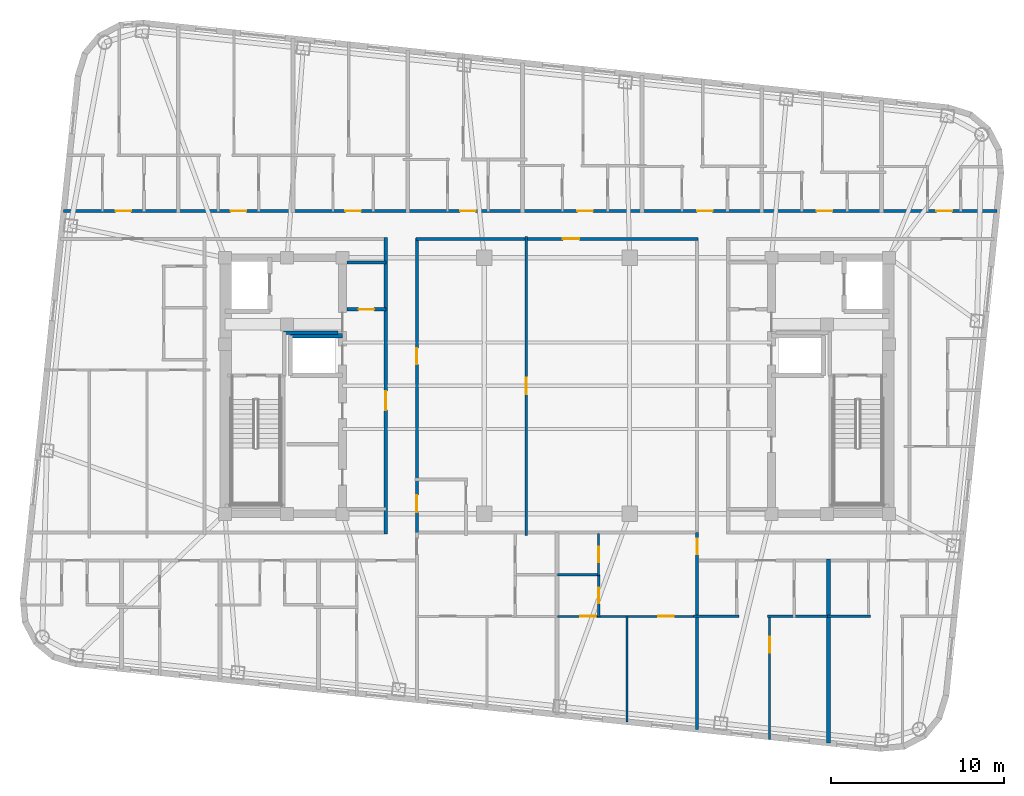
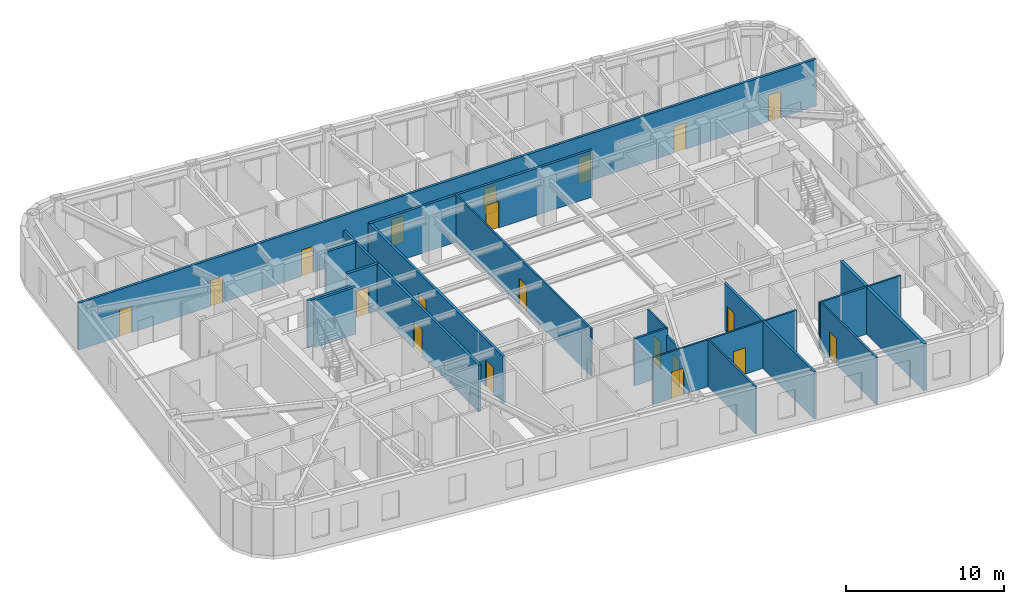
# One storey, part 5 of 11: 20 doors, 20 walls, 20 openings.
"""IFC4 building model written with IfcOpenShell, lengths in metres."""

from ifc_helpers import new_model, si_unit, direction, frame, frame_2d, origin, place, context, subcontext, project, spatial, rectangle, extrude, material, layer, layer_set, type_object, element, fill, save


model = new_model("IFC4")

# Units and contexts
model_context = context("Model", 3, precision=1e-05, world=origin(), true_north=direction((0.0, 1.0)))
body_context = subcontext(model_context, "Body", "Model", "MODEL_VIEW")
ifc_project = project(units=[si_unit("LENGTHUNIT", "METRE"), si_unit("AREAUNIT", "SQUARE_METRE"), si_unit("VOLUMEUNIT", "CUBIC_METRE"), si_unit("PLANEANGLEUNIT", "RADIAN"), si_unit("MASSUNIT", "GRAM", prefix="KILO")], contexts=[model_context])

# Site, building, storey
site_placement = place(None, origin())
site = spatial("IfcSite", under=ifc_project, at=site_placement, CompositionType="ELEMENT")
building_placement = place(site_placement, origin())
building = spatial("IfcBuilding", under=site, at=building_placement, Name="Voryun Gate Residences", CompositionType="ELEMENT")
storey_placement = place(building_placement, frame((0.0, 0.0, 299.0)))
storey = spatial("IfcBuildingStorey", under=building, at=storey_placement, Name="L74", CompositionType="ELEMENT", Elevation=299.0)

# Wall
ifc_material_1 = material(Name="Gypsum acoustic fireboard")
ifc_layer_1 = layer(ifc_material_1, 0.179931640625, Name="W_CORR_RATED_180")
ifc_layer_set_1 = layer_set([ifc_layer_1], Name="Gypsum acoustic fireboard")
wall_type_1 = type_object("IfcWallType", Name="W_CORR_RATED_180", PredefinedType="PARTITIONING", material=ifc_layer_set_1)
wall_1_placement = place(storey_placement, frame((-12.14990234375, 7.1201171875, 0.0), z_axis=(0.0, 0.0, 1.0), x_axis=(1.0, 0.0, 0.0)))
element("IfcWall", 1, at=wall_1_placement, inside=storey, type_object=wall_type_1, Name="Partition wall WP-L74-PLBN-W", PredefinedType="PARTITIONING", context=body_context, shape_type="SweptSolid", body=[
    extrude(rectangle(XDim=2.27001953125, YDim=0.179931640625, at=frame_2d((1.135009765625, 0.0))), origin(), (0.0, 0.0, 1.0), 3.635009765625),
])

# Wall, opening, door
wall_2_placement = place(storey_placement, frame((-9.89990234375, -8.580078125, 0.0), z_axis=(0.0, 0.0, 1.0), x_axis=(0.0, 1.0, 0.0)))
wall_2 = element("IfcWall", 2, at=wall_2_placement, inside=storey, type_object=wall_type_1, Name="Partition wall WP-L74-PLBW-FULL", PredefinedType="PARTITIONING", context=body_context, shape_type="SweptSolid", body=[
    extrude(rectangle(XDim=17.16015625, YDim=0.179931640625, at=frame_2d((8.580078125, 0.0))), origin(), (0.0, 0.0, 1.0), 3.635009765625),
])
opening_1_placement = place(wall_2_placement, frame((7.172119140625, 0.0, 0.0)))
opening_1 = element("IfcOpeningElement", 3, at=opening_1_placement, cuts=wall_2, Name="Opening D-FD60-2", PredefinedType="OPENING", context=body_context, shape_type="SweptSolid", body=[
    extrude(rectangle(XDim=1.10009765625, YDim=2.050048828125, at=frame_2d((0.550048828125, 1.02490234375))), frame((0.0, 0.099853515625, 0.0), z_axis=(0.0, -1.0, 0.0), x_axis=(1.0, 0.0, 0.0)), (0.0, 0.0, 1.0), 0.199951171875),
])
ifc_material_2 = material(Name="Painted steel fire door", Category="steel")
door_type_1 = type_object("IfcDoorType", Name="DR_FD60_FFLOB_1100", OperationType="NOTDEFINED", PredefinedType="DOOR", material=ifc_material_2)
door_1_placement = place(opening_1_placement, origin())
door_1 = element("IfcDoor", 4, at=door_1_placement, inside=storey, type_object=door_type_1, Name="Door DR-L74-PLBW-COR", OperationType="SINGLE_SWING_LEFT", OverallHeight=2.050048828125, OverallWidth=1.10009765625, PredefinedType="DOOR", context=body_context, shape_type="SweptSolid", body=[
    extrude(rectangle(XDim=1.10009765625, YDim=2.050048828125, at=frame_2d((0.550048828125, 1.02490234375))), frame((0.0, 0.02490234375, 0.0), z_axis=(0.0, -1.0, 0.0), x_axis=(1.0, 0.0, 0.0)), (0.0, 0.0, 1.0), 0.050048828125),
])
fill(opening_1, door_1)

wall_3_placement = place(storey_placement, frame((-8.14990234375, 8.489990234375, 0.0), z_axis=(0.0, 0.0, 1.0), x_axis=(1.0, 0.0, 0.0)))
wall_3 = element("IfcWall", 5, at=wall_3_placement, inside=storey, type_object=wall_type_1, Name="Partition wall WP-L74-Z3N", PredefinedType="PARTITIONING", context=body_context, shape_type="SweptSolid", body=[
    extrude(rectangle(XDim=16.2998046875, YDim=0.179931640625, at=frame_2d((8.14990234375, 0.0))), origin(), (0.0, 0.0, 1.0), 3.635009765625),
])
opening_2_placement = place(wall_3_placement, frame((8.489990234375, 0.0, 0.0)))
opening_2 = element("IfcOpeningElement", 6, at=opening_2_placement, cuts=wall_3, Name="Opening D-INT-1", PredefinedType="OPENING", context=body_context, shape_type="SweptSolid", body=[
    extrude(rectangle(XDim=0.949951171875, YDim=2.050048828125, at=frame_2d((0.47509765625, 1.02490234375))), frame((0.0, 0.099853515625, 0.0), z_axis=(0.0, -1.0, 0.0), x_axis=(1.0, 0.0, 0.0)), (0.0, 0.0, 1.0), 0.199951171875),
])
ifc_material_3 = material(Name="Architectural oak veneer")
door_type_2 = type_object("IfcDoorType", Name="DR_INT_ROOM_950", OperationType="NOTDEFINED", PredefinedType="DOOR", material=ifc_material_3)
door_2_placement = place(opening_2_placement, origin())
door_2 = element("IfcDoor", 7, at=door_2_placement, inside=storey, type_object=door_type_2, Name="Door DR-L74-CMIDZ3N", OperationType="SINGLE_SWING_LEFT", OverallHeight=2.050048828125, OverallWidth=0.949951171875, PredefinedType="DOOR", context=body_context, shape_type="SweptSolid", body=[
    extrude(rectangle(XDim=0.949951171875, YDim=2.050048828125, at=frame_2d((0.47509765625, 1.02490234375))), frame((0.0, 0.02490234375, 0.0), z_axis=(0.0, -1.0, 0.0), x_axis=(1.0, 0.0, 0.0)), (0.0, 0.0, 1.0), 0.050048828125),
])
fill(opening_2, door_2)

# Wall, openings, doors
wall_4_placement = place(storey_placement, frame((-8.10009765625, -8.530029296875, 0.0), z_axis=(0.0, 0.0, 1.0), x_axis=(0.0, 1.0, 0.0)))
wall_4 = element("IfcWall", 8, at=wall_4_placement, inside=storey, type_object=wall_type_1, Name="Partition wall WP-L74-Z3W", PredefinedType="PARTITIONING", context=body_context, shape_type="SweptSolid", body=[
    extrude(rectangle(XDim=17.06005859375, YDim=0.179931640625, at=frame_2d((8.530029296875, 0.0))), origin(), (0.0, 0.0, 1.0), 3.635009765625),
])
opening_3_placement = place(wall_4_placement, frame((1.2060546875, 0.0, 0.0)))
opening_3 = element("IfcOpeningElement", 9, at=opening_3_placement, cuts=wall_4, Name="Opening D-AWC-1", PredefinedType="OPENING", context=body_context, shape_type="SweptSolid", body=[
    extrude(rectangle(XDim=1.0, YDim=2.050048828125, at=frame_2d((0.5, 1.02490234375))), frame((0.0, 0.099853515625, 0.0), z_axis=(0.0, -1.0, 0.0), x_axis=(1.0, 0.0, 0.0)), (0.0, 0.0, 1.0), 0.199951171875),
])
opening_4_placement = place(wall_4_placement, frame((9.760986328125, 0.0, 0.0)))
opening_4 = element("IfcOpeningElement", 10, at=opening_4_placement, cuts=wall_4, Name="Opening D-INT-1", PredefinedType="OPENING", context=body_context, shape_type="SweptSolid", body=[
    extrude(rectangle(XDim=0.949951171875, YDim=2.050048828125, at=frame_2d((0.47509765625, 1.02490234375))), frame((0.0, 0.099853515625, 0.0), z_axis=(0.0, -1.0, 0.0), x_axis=(1.0, 0.0, 0.0)), (0.0, 0.0, 1.0), 0.199951171875),
])
ifc_material_4 = material(Name="Architectural oak veneer")
door_type_3 = type_object("IfcDoorType", Name="DR_ACC_WC_1000", OperationType="NOTDEFINED", PredefinedType="DOOR", material=ifc_material_4)
door_3_placement = place(opening_3_placement, origin())
door_3 = element("IfcDoor", 11, at=door_3_placement, inside=storey, type_object=door_type_3, Name="Door DR-L74-CMWC-D", OperationType="SINGLE_SWING_LEFT", OverallHeight=2.050048828125, OverallWidth=1.0, PredefinedType="DOOR", context=body_context, shape_type="SweptSolid", body=[
    extrude(rectangle(XDim=1.0, YDim=2.050048828125, at=frame_2d((0.5, 1.02490234375))), frame((0.0, 0.02490234375, 0.0), z_axis=(0.0, -1.0, 0.0), x_axis=(1.0, 0.0, 0.0)), (0.0, 0.0, 1.0), 0.050048828125),
])
fill(opening_3, door_3)
door_4_placement = place(opening_4_placement, origin())
door_4 = element("IfcDoor", 12, at=door_4_placement, inside=storey, type_object=door_type_2, Name="Door DR-L74-CMIDZ3W", OperationType="SINGLE_SWING_RIGHT", OverallHeight=2.050048828125, OverallWidth=0.949951171875, PredefinedType="DOOR", context=body_context, shape_type="SweptSolid", body=[
    extrude(rectangle(XDim=0.949951171875, YDim=2.050048828125, at=frame_2d((0.47509765625, 1.02490234375))), frame((0.0, 0.02490234375, 0.0), z_axis=(0.0, -1.0, 0.0), x_axis=(1.0, 0.0, 0.0)), (0.0, 0.0, 1.0), 0.050048828125),
])
fill(opening_4, door_4)

wall_5_placement = place(storey_placement, frame((-28.51611328125, 10.10009765625, 0.0), z_axis=(0.0, 0.0, 1.0), x_axis=(1.0, 0.0, 0.0)))
wall_5 = element("IfcWall", 13, at=wall_5_placement, inside=storey, type_object=wall_type_1, Name="Partition wall WP-L74-NCORR", PredefinedType="PARTITIONING", context=body_context, shape_type="SweptSolid", body=[
    extrude(rectangle(XDim=53.955322265625, YDim=0.179931640625, at=frame_2d((26.9775390625, 0.0))), origin(), (0.0, 0.0, 1.0), 3.635009765625),
])
opening_5_placement = place(wall_5_placement, frame((2.997802734375, 0.0, 0.0)))
opening_5 = element("IfcOpeningElement", 14, at=opening_5_placement, cuts=wall_5, Name="Opening D-INT-2", PredefinedType="OPENING", context=body_context, shape_type="SweptSolid", body=[
    extrude(rectangle(XDim=0.89990234375, YDim=2.050048828125, at=frame_2d((0.449951171875, 1.02490234375))), frame((0.0, 0.099853515625, 0.0), z_axis=(0.0, -1.0, 0.0), x_axis=(1.0, 0.0, 0.0)), (0.0, 0.0, 1.0), 0.199951171875),
])
opening_6_placement = place(wall_5_placement, frame((9.656005859375, 0.0, 0.0)))
opening_6 = element("IfcOpeningElement", 15, at=opening_6_placement, cuts=wall_5, Name="Opening D-INT-2", PredefinedType="OPENING", context=body_context, shape_type="SweptSolid", body=[
    extrude(rectangle(XDim=0.89990234375, YDim=2.050048828125, at=frame_2d((0.449951171875, 1.02490234375))), frame((0.0, 0.099853515625, 0.0), z_axis=(0.0, -1.0, 0.0), x_axis=(1.0, 0.0, 0.0)), (0.0, 0.0, 1.0), 0.199951171875),
])
opening_7_placement = place(wall_5_placement, frame((16.287109375, 0.0, 0.0)))
opening_7 = element("IfcOpeningElement", 16, at=opening_7_placement, cuts=wall_5, Name="Opening D-INT-2", PredefinedType="OPENING", context=body_context, shape_type="SweptSolid", body=[
    extrude(rectangle(XDim=0.89990234375, YDim=2.050048828125, at=frame_2d((0.449951171875, 1.02490234375))), frame((0.0, 0.099853515625, 0.0), z_axis=(0.0, -1.0, 0.0), x_axis=(1.0, 0.0, 0.0)), (0.0, 0.0, 1.0), 0.199951171875),
])
opening_8_placement = place(wall_5_placement, frame((22.918212890625, 0.0, 0.0)))
opening_8 = element("IfcOpeningElement", 17, at=opening_8_placement, cuts=wall_5, Name="Opening D-INT-2", PredefinedType="OPENING", context=body_context, shape_type="SweptSolid", body=[
    extrude(rectangle(XDim=0.89990234375, YDim=2.050048828125, at=frame_2d((0.449951171875, 1.02490234375))), frame((0.0, 0.099853515625, 0.0), z_axis=(0.0, -1.0, 0.0), x_axis=(1.0, 0.0, 0.0)), (0.0, 0.0, 1.0), 0.199951171875),
])
opening_9_placement = place(wall_5_placement, frame((29.689453125, 0.0, 0.0)))
opening_9 = element("IfcOpeningElement", 18, at=opening_9_placement, cuts=wall_5, Name="Opening D-INT-2", PredefinedType="OPENING", context=body_context, shape_type="SweptSolid", body=[
    extrude(rectangle(XDim=0.89990234375, YDim=2.050048828125, at=frame_2d((0.449951171875, 1.02490234375))), frame((0.0, 0.099853515625, 0.0), z_axis=(0.0, -1.0, 0.0), x_axis=(1.0, 0.0, 0.0)), (0.0, 0.0, 1.0), 0.199951171875),
])
opening_10_placement = place(wall_5_placement, frame((36.612060546875, 0.0, 0.0)))
opening_10 = element("IfcOpeningElement", 19, at=opening_10_placement, cuts=wall_5, Name="Opening D-INT-2", PredefinedType="OPENING", context=body_context, shape_type="SweptSolid", body=[
    extrude(rectangle(XDim=0.89990234375, YDim=2.050048828125, at=frame_2d((0.449951171875, 1.02490234375))), frame((0.0, 0.099853515625, 0.0), z_axis=(0.0, -1.0, 0.0), x_axis=(1.0, 0.0, 0.0)), (0.0, 0.0, 1.0), 0.199951171875),
])
opening_11_placement = place(wall_5_placement, frame((43.529052734375, 0.0, 0.0)))
opening_11 = element("IfcOpeningElement", 20, at=opening_11_placement, cuts=wall_5, Name="Opening D-INT-2", PredefinedType="OPENING", context=body_context, shape_type="SweptSolid", body=[
    extrude(rectangle(XDim=0.89990234375, YDim=2.050048828125, at=frame_2d((0.449951171875, 1.02490234375))), frame((0.0, 0.099853515625, 0.0), z_axis=(0.0, -1.0, 0.0), x_axis=(1.0, 0.0, 0.0)), (0.0, 0.0, 1.0), 0.199951171875),
])
opening_12_placement = place(wall_5_placement, frame((50.45166015625, 0.0, 0.0)))
opening_12 = element("IfcOpeningElement", 21, at=opening_12_placement, cuts=wall_5, Name="Opening D-INT-2", PredefinedType="OPENING", context=body_context, shape_type="SweptSolid", body=[
    extrude(rectangle(XDim=0.89990234375, YDim=2.050048828125, at=frame_2d((0.449951171875, 1.02490234375))), frame((0.0, 0.099853515625, 0.0), z_axis=(0.0, -1.0, 0.0), x_axis=(1.0, 0.0, 0.0)), (0.0, 0.0, 1.0), 0.199951171875),
])
ifc_material_5 = material(Name="Architectural oak veneer")
door_type_4 = type_object("IfcDoorType", Name="DR_INT_BATH_900", OperationType="NOTDEFINED", PredefinedType="DOOR", material=ifc_material_5)
door_5_placement = place(opening_5_placement, origin())
door_5 = element("IfcDoor", 22, at=door_5_placement, inside=storey, type_object=door_type_4, Name="Door DR-L74-NENT-1", OperationType="SINGLE_SWING_LEFT", OverallHeight=2.050048828125, OverallWidth=0.89990234375, PredefinedType="DOOR", context=body_context, shape_type="SweptSolid", body=[
    extrude(rectangle(XDim=0.89990234375, YDim=2.050048828125, at=frame_2d((0.449951171875, 1.02490234375))), frame((0.0, 0.02490234375, 0.0), z_axis=(0.0, -1.0, 0.0), x_axis=(1.0, 0.0, 0.0)), (0.0, 0.0, 1.0), 0.050048828125),
])
fill(opening_5, door_5)
door_6_placement = place(opening_6_placement, origin())
door_6 = element("IfcDoor", 23, at=door_6_placement, inside=storey, type_object=door_type_4, Name="Door DR-L74-NENT-2", OperationType="SINGLE_SWING_RIGHT", OverallHeight=2.050048828125, OverallWidth=0.89990234375, PredefinedType="DOOR", context=body_context, shape_type="SweptSolid", body=[
    extrude(rectangle(XDim=0.89990234375, YDim=2.050048828125, at=frame_2d((0.449951171875, 1.02490234375))), frame((0.0, 0.02490234375, 0.0), z_axis=(0.0, -1.0, 0.0), x_axis=(1.0, 0.0, 0.0)), (0.0, 0.0, 1.0), 0.050048828125),
])
fill(opening_6, door_6)
door_7_placement = place(opening_7_placement, origin())
door_7 = element("IfcDoor", 24, at=door_7_placement, inside=storey, type_object=door_type_4, Name="Door DR-L74-NENT-3", OperationType="SINGLE_SWING_LEFT", OverallHeight=2.050048828125, OverallWidth=0.89990234375, PredefinedType="DOOR", context=body_context, shape_type="SweptSolid", body=[
    extrude(rectangle(XDim=0.89990234375, YDim=2.050048828125, at=frame_2d((0.449951171875, 1.02490234375))), frame((0.0, 0.02490234375, 0.0), z_axis=(0.0, -1.0, 0.0), x_axis=(1.0, 0.0, 0.0)), (0.0, 0.0, 1.0), 0.050048828125),
])
fill(opening_7, door_7)
door_8_placement = place(opening_8_placement, origin())
door_8 = element("IfcDoor", 25, at=door_8_placement, inside=storey, type_object=door_type_4, Name="Door DR-L74-NENT-4", OperationType="SINGLE_SWING_RIGHT", OverallHeight=2.050048828125, OverallWidth=0.89990234375, PredefinedType="DOOR", context=body_context, shape_type="SweptSolid", body=[
    extrude(rectangle(XDim=0.89990234375, YDim=2.050048828125, at=frame_2d((0.449951171875, 1.02490234375))), frame((0.0, 0.02490234375, 0.0), z_axis=(0.0, -1.0, 0.0), x_axis=(1.0, 0.0, 0.0)), (0.0, 0.0, 1.0), 0.050048828125),
])
fill(opening_8, door_8)
door_9_placement = place(opening_9_placement, origin())
door_9 = element("IfcDoor", 26, at=door_9_placement, inside=storey, type_object=door_type_4, Name="Door DR-L74-NENT-5", OperationType="SINGLE_SWING_LEFT", OverallHeight=2.050048828125, OverallWidth=0.89990234375, PredefinedType="DOOR", context=body_context, shape_type="SweptSolid", body=[
    extrude(rectangle(XDim=0.89990234375, YDim=2.050048828125, at=frame_2d((0.449951171875, 1.02490234375))), frame((0.0, 0.02490234375, 0.0), z_axis=(0.0, -1.0, 0.0), x_axis=(1.0, 0.0, 0.0)), (0.0, 0.0, 1.0), 0.050048828125),
])
fill(opening_9, door_9)
door_10_placement = place(opening_10_placement, origin())
door_10 = element("IfcDoor", 27, at=door_10_placement, inside=storey, type_object=door_type_4, Name="Door DR-L74-NENT-6", OperationType="SINGLE_SWING_RIGHT", OverallHeight=2.050048828125, OverallWidth=0.89990234375, PredefinedType="DOOR", context=body_context, shape_type="SweptSolid", body=[
    extrude(rectangle(XDim=0.89990234375, YDim=2.050048828125, at=frame_2d((0.449951171875, 1.02490234375))), frame((0.0, 0.02490234375, 0.0), z_axis=(0.0, -1.0, 0.0), x_axis=(1.0, 0.0, 0.0)), (0.0, 0.0, 1.0), 0.050048828125),
])
fill(opening_10, door_10)
door_11_placement = place(opening_11_placement, origin())
door_11 = element("IfcDoor", 28, at=door_11_placement, inside=storey, type_object=door_type_4, Name="Door DR-L74-NENT-7", OperationType="SINGLE_SWING_LEFT", OverallHeight=2.050048828125, OverallWidth=0.89990234375, PredefinedType="DOOR", context=body_context, shape_type="SweptSolid", body=[
    extrude(rectangle(XDim=0.89990234375, YDim=2.050048828125, at=frame_2d((0.449951171875, 1.02490234375))), frame((0.0, 0.02490234375, 0.0), z_axis=(0.0, -1.0, 0.0), x_axis=(1.0, 0.0, 0.0)), (0.0, 0.0, 1.0), 0.050048828125),
])
fill(opening_11, door_11)
door_12_placement = place(opening_12_placement, origin())
door_12 = element("IfcDoor", 29, at=door_12_placement, inside=storey, type_object=door_type_4, Name="Door DR-L74-NENT-8", OperationType="SINGLE_SWING_RIGHT", OverallHeight=2.050048828125, OverallWidth=0.89990234375, PredefinedType="DOOR", context=body_context, shape_type="SweptSolid", body=[
    extrude(rectangle(XDim=0.89990234375, YDim=2.050048828125, at=frame_2d((0.449951171875, 1.02490234375))), frame((0.0, 0.02490234375, 0.0), z_axis=(0.0, -1.0, 0.0), x_axis=(1.0, 0.0, 0.0)), (0.0, 0.0, 1.0), 0.050048828125),
])
fill(opening_12, door_12)

# Wall, opening, door
wall_6_placement = place(storey_placement, frame((8.10009765625, -19.857177734375, 0.0), z_axis=(0.0, 0.0, 1.0), x_axis=(0.0, 1.0, 0.0)))
wall_6 = element("IfcWall", 30, at=wall_6_placement, inside=storey, type_object=wall_type_1, Name="Partition wall WP-L74-SZV-2", PredefinedType="PARTITIONING", context=body_context, shape_type="SweptSolid", body=[
    extrude(rectangle(XDim=11.3671875, YDim=0.179931640625, at=frame_2d((5.68359375, 0.0))), origin(), (0.0, 0.0, 1.0), 3.635009765625),
])
opening_13_placement = place(wall_6_placement, frame((10.116943359375, 0.0, 0.0)))
opening_13 = element("IfcOpeningElement", 31, at=opening_13_placement, cuts=wall_6, Name="Opening D-INT-2", PredefinedType="OPENING", context=body_context, shape_type="SweptSolid", body=[
    extrude(rectangle(XDim=0.89990234375, YDim=2.050048828125, at=frame_2d((0.449951171875, 1.02490234375))), frame((0.0, 0.099853515625, 0.0), z_axis=(0.0, -1.0, 0.0), x_axis=(1.0, 0.0, 0.0)), (0.0, 0.0, 1.0), 0.199951171875),
])
door_13_placement = place(opening_13_placement, origin())
door_13 = element("IfcDoor", 32, at=door_13_placement, inside=storey, type_object=door_type_4, Name="Door DR-L74-SZENT-2", OperationType="SINGLE_SWING_RIGHT", OverallHeight=2.050048828125, OverallWidth=0.89990234375, PredefinedType="DOOR", context=body_context, shape_type="SweptSolid", body=[
    extrude(rectangle(XDim=0.89990234375, YDim=2.050048828125, at=frame_2d((0.449951171875, 1.02490234375))), frame((0.0, 0.02490234375, 0.0), z_axis=(0.0, -1.0, 0.0), x_axis=(1.0, 0.0, 0.0)), (0.0, 0.0, 1.0), 0.050048828125),
])
fill(opening_13, door_13)

# Wall
ifc_material_6 = material(Name="Concrete C40/50", Category="concrete")
ifc_layer_2 = layer(ifc_material_6, 0.199951171875, Name="W_FF_LOBBY_200")
ifc_layer_set_2 = layer_set([ifc_layer_2], Name="Concrete C40/50")
wall_type_2 = type_object("IfcWallType", Name="W_FF_LOBBY_200", PredefinedType="PARTITIONING", material=ifc_layer_set_2)
wall_7_placement = place(storey_placement, frame((-15.820068359375, 3.06005859375, 0.0), z_axis=(0.0, 0.0, 1.0), x_axis=(1.0, 0.0, 0.0)))
element("IfcWall", 33, at=wall_7_placement, inside=storey, type_object=wall_type_2, Name="Partition wall WP-L74-FFPS-W", PredefinedType="PARTITIONING", context=body_context, shape_type="SweptSolid", body=[
    extrude(rectangle(XDim=3.16015625, YDim=0.199951171875, at=frame_2d((1.580078125, 0.0))), origin(), (0.0, 0.0, 1.0), 3.635009765625),
])

# Wall, opening, door
wall_8_placement = place(storey_placement, frame((-12.14990234375, 4.409912109375, 0.0), z_axis=(0.0, 0.0, 1.0), x_axis=(1.0, 0.0, 0.0)))
wall_8 = element("IfcWall", 34, at=wall_8_placement, inside=storey, type_object=wall_type_2, Name="Partition wall WP-L74-CSFLKS-W", PredefinedType="PARTITIONING", context=body_context, shape_type="SweptSolid", body=[
    extrude(rectangle(XDim=2.27001953125, YDim=0.199951171875, at=frame_2d((1.135009765625, 0.0))), origin(), (0.0, 0.0, 1.0), 3.635009765625),
])
opening_14_placement = place(wall_8_placement, frame((0.68505859375, 0.0, 0.0)))
opening_14 = element("IfcOpeningElement", 35, at=opening_14_placement, cuts=wall_8, Name="Opening D-FD60-4", PredefinedType="OPENING", context=body_context, shape_type="SweptSolid", body=[
    extrude(rectangle(XDim=0.89990234375, YDim=2.050048828125, at=frame_2d((0.449951171875, 1.02490234375))), frame((0.0, 0.110107421875, 0.0), z_axis=(0.0, -1.0, 0.0), x_axis=(1.0, 0.0, 0.0)), (0.0, 0.0, 1.0), 0.219970703125),
])
ifc_material_7 = material(Name="Painted steel fire door", Category="steel")
door_type_5 = type_object("IfcDoorType", Name="DR_FD60_RISER_900", OperationType="NOTDEFINED", PredefinedType="DOOR", material=ifc_material_7)
door_14_placement = place(opening_14_placement, origin())
door_14 = element("IfcDoor", 36, at=door_14_placement, inside=storey, type_object=door_type_5, Name="Door DR-L74-CSFLK-W", OperationType="SINGLE_SWING_LEFT", OverallHeight=2.050048828125, OverallWidth=0.89990234375, PredefinedType="DOOR", context=body_context, shape_type="SweptSolid", body=[
    extrude(rectangle(XDim=0.89990234375, YDim=2.050048828125, at=frame_2d((0.449951171875, 1.02490234375))), frame((0.0, 0.02490234375, 0.0), z_axis=(0.0, -1.0, 0.0), x_axis=(1.0, 0.0, 0.0)), (0.0, 0.0, 1.0), 0.050048828125),
])
fill(opening_14, door_14)

# Walls
ifc_material_8 = material(Name="Concrete C40/50", Category="concrete")
ifc_layer_3 = layer(ifc_material_8, 0.219970703125, Name="W_PARTY_ACOUSTIC_220")
ifc_layer_set_3 = layer_set([ifc_layer_3], Name="Concrete C40/50")
wall_type_3 = type_object("IfcWallType", Name="W_PARTY_ACOUSTIC_220", PredefinedType="PARTITIONING", material=ifc_layer_set_3)
wall_9_placement = place(storey_placement, frame((15.699951171875, -20.656005859375, 0.0), z_axis=(0.0, 0.0, 1.0), x_axis=(0.0, 1.0, 0.0)))
element("IfcWall", 37, at=wall_9_placement, inside=storey, type_object=wall_type_3, Name="Partition wall WP-L74-SPTY-6", PredefinedType="PARTITIONING", context=body_context, shape_type="SweptSolid", body=[
    extrude(rectangle(XDim=10.635986328125, YDim=0.219970703125, at=frame_2d((5.31787109375, 0.0))), origin(), (0.0, 0.0, 1.0), 3.635009765625),
])
ifc_material_9 = material(Name="Concrete C50/60", Category="concrete")
ifc_layer_4 = layer(ifc_material_9, 0.25, Name="W_SHAFT_RC250")
ifc_layer_set_4 = layer_set([ifc_layer_4], Name="Concrete C50/60")
wall_type_4 = type_object("IfcWallType", Name="W_SHAFT_RC250", PredefinedType="SOLIDWALL", material=ifc_layer_set_4)
wall_10_placement = place(storey_placement, frame((-12.39990234375, 2.89990234375, 0.0), z_axis=(0.0, 0.0, 1.0), x_axis=(-1.0, 0.0, 0.0)))
element("IfcWall", 38, at=wall_10_placement, inside=storey, type_object=wall_type_4, Name="Lift shaft wall WSH-L74-EL-P7-N", PredefinedType="SOLIDWALL", context=body_context, shape_type="SweptSolid", body=[
    extrude(rectangle(XDim=3.0, YDim=0.25, at=frame_2d((1.5, 0.0))), origin(), (0.0, 0.0, 1.0), 3.635009765625),
])

# Wall, opening, door
ifc_material_10 = material(Name="Gypsum acoustic partition")
ifc_layer_5 = layer(ifc_material_10, 0.125, Name="W_UNIT_PART_125")
ifc_layer_set_5 = layer_set([ifc_layer_5], Name="Gypsum acoustic partition")
wall_type_5 = type_object("IfcWallType", Name="W_UNIT_PART_125", PredefinedType="PARTITIONING", material=ifc_layer_set_5)
wall_11_placement = place(storey_placement, frame((-1.77294921875, -8.669921875, 0.0), z_axis=(0.0, 0.0, 1.0), x_axis=(0.0, 1.0, 0.0)))
wall_11 = element("IfcWall", 39, at=wall_11_placement, inside=storey, type_object=wall_type_5, Name="Partition wall WP-L74-MIDX-0", PredefinedType="PARTITIONING", context=body_context, shape_type="SweptSolid", body=[
    extrude(rectangle(XDim=17.2900390625, YDim=0.125, at=frame_2d((8.64501953125, 0.0))), origin(), (0.0, 0.0, 1.0), 3.635009765625),
])
opening_15_placement = place(wall_11_placement, frame((8.169921875, 0.0, 0.0)))
opening_15 = element("IfcOpeningElement", 40, at=opening_15_placement, cuts=wall_11, Name="Opening D-INT-1", PredefinedType="OPENING", context=body_context, shape_type="SweptSolid", body=[
    extrude(rectangle(XDim=0.949951171875, YDim=2.050048828125, at=frame_2d((0.47509765625, 1.02490234375))), frame((0.0, 0.072509765625, 0.0), z_axis=(0.0, -1.0, 0.0), x_axis=(1.0, 0.0, 0.0)), (0.0, 0.0, 1.0), 0.14501953125),
])
door_15_placement = place(opening_15_placement, origin())
door_15 = element("IfcDoor", 41, at=door_15_placement, inside=storey, type_object=door_type_2, Name="Door DR-L74-MIDX-0", OperationType="SINGLE_SWING_LEFT", OverallHeight=2.050048828125, OverallWidth=0.949951171875, PredefinedType="DOOR", context=body_context, shape_type="SweptSolid", body=[
    extrude(rectangle(XDim=0.949951171875, YDim=2.050048828125, at=frame_2d((0.47509765625, 1.02490234375))), frame((0.0, 0.02490234375, 0.0), z_axis=(0.0, -1.0, 0.0), x_axis=(1.0, 0.0, 0.0)), (0.0, 0.0, 1.0), 0.050048828125),
])
fill(opening_15, door_15)

wall_12_placement = place(storey_placement, frame((12.2900390625, -20.448486328125, 0.0), z_axis=(0.0, 0.0, 1.0), x_axis=(0.0, 1.0, 0.0)))
wall_12 = element("IfcWall", 42, at=wall_12_placement, inside=storey, type_object=wall_type_5, Name="Partition wall WP-L74-S6-OVR", PredefinedType="PARTITIONING", context=body_context, shape_type="SweptSolid", body=[
    extrude(rectangle(XDim=7.20849609375, YDim=0.125, at=frame_2d((3.604248046875, 0.0))), origin(), (0.0, 0.0, 1.0), 3.635009765625),
])
opening_16_placement = place(wall_12_placement, frame((5.0283203125, 0.0, 0.0)))
opening_16 = element("IfcOpeningElement", 43, at=opening_16_placement, cuts=wall_12, Name="Opening D-INT-2", PredefinedType="OPENING", context=body_context, shape_type="SweptSolid", body=[
    extrude(rectangle(XDim=0.89990234375, YDim=2.050048828125, at=frame_2d((0.449951171875, 1.02490234375))), frame((0.0, 0.072509765625, 0.0), z_axis=(0.0, -1.0, 0.0), x_axis=(1.0, 0.0, 0.0)), (0.0, 0.0, 1.0), 0.14501953125),
])
door_16_placement = place(opening_16_placement, origin())
door_16 = element("IfcDoor", 44, at=door_16_placement, inside=storey, type_object=door_type_4, Name="Door DR-L74-S6-DMB", OperationType="SINGLE_SWING_RIGHT", OverallHeight=2.050048828125, OverallWidth=0.89990234375, PredefinedType="DOOR", context=body_context, shape_type="SweptSolid", body=[
    extrude(rectangle(XDim=0.89990234375, YDim=2.050048828125, at=frame_2d((0.449951171875, 1.02490234375))), frame((0.0, 0.02490234375, 0.0), z_axis=(0.0, -1.0, 0.0), x_axis=(1.0, 0.0, 0.0)), (0.0, 0.0, 1.0), 0.050048828125),
])
fill(opening_16, door_16)

# Walls
wall_13_placement = place(storey_placement, frame((7.887451171875, -13.320068359375, 0.0), z_axis=(0.0, 0.0, 1.0), x_axis=(1.0, 0.0, 0.0)))
element("IfcWall", 45, at=wall_13_placement, inside=storey, type_object=wall_type_5, Name="Partition wall WP-L74-S6-HZK", PredefinedType="PARTITIONING", context=body_context, shape_type="SweptSolid", body=[
    extrude(rectangle(XDim=2.62255859375, YDim=0.125, at=frame_2d((1.311279296875, 0.0))), origin(), (0.0, 0.0, 1.0), 3.635009765625),
])
wall_14_placement = place(storey_placement, frame((15.625, -13.320068359375, 0.0), z_axis=(0.0, 0.0, 1.0), x_axis=(1.0, 0.0, 0.0)))
element("IfcWall", 46, at=wall_14_placement, inside=storey, type_object=wall_type_5, Name="Partition wall WP-L74-S7-HZK", PredefinedType="PARTITIONING", context=body_context, shape_type="SweptSolid", body=[
    extrude(rectangle(XDim=2.5048828125, YDim=0.125, at=frame_2d((1.25244140625, 0.0))), origin(), (0.0, 0.0, 1.0), 3.635009765625),
])

# Wall, openings, doors
wall_15_placement = place(storey_placement, frame((0.02001953125, -13.330078125, 0.0), z_axis=(0.0, 0.0, 1.0), x_axis=(1.0, 0.0, 0.0)))
wall_15 = element("IfcWall", 47, at=wall_15_placement, inside=storey, type_object=wall_type_5, Name="Partition wall WP-L74-SC2-HZ", PredefinedType="PARTITIONING", context=body_context, shape_type="SweptSolid", body=[
    extrude(rectangle(XDim=7.992431640625, YDim=0.125, at=frame_2d((3.99609375, 0.0))), origin(), (0.0, 0.0, 1.0), 3.635009765625),
])
opening_17_placement = place(wall_15_placement, frame((1.3232421875, 0.0, 0.0)))
opening_17 = element("IfcOpeningElement", 48, at=opening_17_placement, cuts=wall_15, Name="Opening D-INT-2", PredefinedType="OPENING", context=body_context, shape_type="SweptSolid", body=[
    extrude(rectangle(XDim=0.89990234375, YDim=2.050048828125, at=frame_2d((0.449951171875, 1.02490234375))), frame((0.0, 0.072509765625, 0.0), z_axis=(0.0, -1.0, 0.0), x_axis=(1.0, 0.0, 0.0)), (0.0, 0.0, 1.0), 0.14501953125),
])
opening_18_placement = place(wall_15_placement, frame((5.8369140625, 0.0, 0.0)))
opening_18 = element("IfcOpeningElement", 49, at=opening_18_placement, cuts=wall_15, Name="Opening D-INT-2", PredefinedType="OPENING", context=body_context, shape_type="SweptSolid", body=[
    extrude(rectangle(XDim=0.89990234375, YDim=2.050048828125, at=frame_2d((0.449951171875, 1.02490234375))), frame((0.0, 0.072509765625, 0.0), z_axis=(0.0, -1.0, 0.0), x_axis=(1.0, 0.0, 0.0)), (0.0, 0.0, 1.0), 0.14501953125),
])
door_17_placement = place(opening_17_placement, origin())
door_17 = element("IfcDoor", 50, at=door_17_placement, inside=storey, type_object=door_type_4, Name="Door DR-L74-SC2-DMB", OperationType="SINGLE_SWING_LEFT", OverallHeight=2.050048828125, OverallWidth=0.89990234375, PredefinedType="DOOR", context=body_context, shape_type="SweptSolid", body=[
    extrude(rectangle(XDim=0.89990234375, YDim=2.050048828125, at=frame_2d((0.449951171875, 1.02490234375))), frame((0.0, 0.02490234375, 0.0), z_axis=(0.0, -1.0, 0.0), x_axis=(1.0, 0.0, 0.0)), (0.0, 0.0, 1.0), 0.050048828125),
])
fill(opening_17, door_17)
door_18_placement = place(opening_18_placement, origin())
door_18 = element("IfcDoor", 51, at=door_18_placement, inside=storey, type_object=door_type_4, Name="Door DR-L74-SC2-DBD2", OperationType="SINGLE_SWING_RIGHT", OverallHeight=2.050048828125, OverallWidth=0.89990234375, PredefinedType="DOOR", context=body_context, shape_type="SweptSolid", body=[
    extrude(rectangle(XDim=0.89990234375, YDim=2.050048828125, at=frame_2d((0.449951171875, 1.02490234375))), frame((0.0, 0.02490234375, 0.0), z_axis=(0.0, -1.0, 0.0), x_axis=(1.0, 0.0, 0.0)), (0.0, 0.0, 1.0), 0.050048828125),
])
fill(opening_18, door_18)

# Wall, opening, door
wall_16_placement = place(storey_placement, frame((2.409912109375, -10.9599609375, 0.0), z_axis=(0.0, 0.0, 1.0), x_axis=(0.0, 1.0, 0.0)))
wall_16 = element("IfcWall", 52, at=wall_16_placement, inside=storey, type_object=wall_type_5, Name="Partition wall WP-L74-SC2-VK1", PredefinedType="PARTITIONING", context=body_context, shape_type="SweptSolid", body=[
    extrude(rectangle(XDim=2.409912109375, YDim=0.125, at=frame_2d((1.205078125, 0.0))), origin(), (0.0, 0.0, 1.0), 3.635009765625),
])
opening_19_placement = place(wall_16_placement, frame((0.7548828125, 0.0, 0.0)))
opening_19 = element("IfcOpeningElement", 53, at=opening_19_placement, cuts=wall_16, Name="Opening D-INT-2", PredefinedType="OPENING", context=body_context, shape_type="SweptSolid", body=[
    extrude(rectangle(XDim=0.89990234375, YDim=2.050048828125, at=frame_2d((0.449951171875, 1.02490234375))), frame((0.0, 0.072509765625, 0.0), z_axis=(0.0, -1.0, 0.0), x_axis=(1.0, 0.0, 0.0)), (0.0, 0.0, 1.0), 0.14501953125),
])
door_19_placement = place(opening_19_placement, origin())
door_19 = element("IfcDoor", 54, at=door_19_placement, inside=storey, type_object=door_type_4, Name="Door DR-L74-SC2-DK", OperationType="SINGLE_SWING_LEFT", OverallHeight=2.050048828125, OverallWidth=0.89990234375, PredefinedType="DOOR", context=body_context, shape_type="SweptSolid", body=[
    extrude(rectangle(XDim=0.89990234375, YDim=2.050048828125, at=frame_2d((0.449951171875, 1.02490234375))), frame((0.0, 0.02490234375, 0.0), z_axis=(0.0, -1.0, 0.0), x_axis=(1.0, 0.0, 0.0)), (0.0, 0.0, 1.0), 0.050048828125),
])
fill(opening_19, door_19)

# Walls
wall_17_placement = place(storey_placement, frame((4.050048828125, -19.431640625, 0.0), z_axis=(0.0, 0.0, 1.0), x_axis=(0.0, 1.0, 0.0)))
element("IfcWall", 55, at=wall_17_placement, inside=storey, type_object=wall_type_5, Name="Partition wall WP-L74-SC2-VBD", PredefinedType="PARTITIONING", context=body_context, shape_type="SweptSolid", body=[
    extrude(rectangle(XDim=6.1416015625, YDim=0.125, at=frame_2d((3.07080078125, 0.0))), origin(), (0.0, 0.0, 1.0), 3.635009765625),
])
ifc_material_11 = material(Name="Gypsum moisture-resistant partition")
ifc_layer_6 = layer(ifc_material_11, 0.14990234375, Name="W_WET_PLUMB_150")
ifc_layer_set_6 = layer_set([ifc_layer_6], Name="Gypsum moisture-resistant partition")
wall_type_6 = type_object("IfcWallType", Name="W_WET_PLUMB_150", PredefinedType="PLUMBINGWALL", material=ifc_layer_set_6)
wall_18_placement = place(storey_placement, frame((12.169921875, -13.320068359375, 0.0), z_axis=(0.0, 0.0, 1.0), x_axis=(1.0, 0.0, 0.0)))
element("IfcWall", 56, at=wall_18_placement, inside=storey, type_object=wall_type_6, Name="Partition wall WP-L74-S6-HZB", PredefinedType="PLUMBINGWALL", context=body_context, shape_type="SweptSolid", body=[
    extrude(rectangle(XDim=3.60498046875, YDim=0.14990234375, at=frame_2d((1.802490234375, 0.0))), origin(), (0.0, 0.0, 1.0), 3.635009765625),
])

# Wall, opening, door
wall_19_placement = place(storey_placement, frame((2.409912109375, -13.3701171875, 0.0), z_axis=(0.0, 0.0, 1.0), x_axis=(0.0, 1.0, 0.0)))
wall_19 = element("IfcWall", 57, at=wall_19_placement, inside=storey, type_object=wall_type_6, Name="Partition wall WP-L74-SC2-VK2", PredefinedType="PLUMBINGWALL", context=body_context, shape_type="SweptSolid", body=[
    extrude(rectangle(XDim=2.47021484375, YDim=0.14990234375, at=frame_2d((1.235107421875, 0.0))), origin(), (0.0, 0.0, 1.0), 3.074951171875),
])
opening_20_placement = place(wall_19_placement, frame((0.784912109375, 0.0, 0.0)))
opening_20 = element("IfcOpeningElement", 58, at=opening_20_placement, cuts=wall_19, Name="Opening D-INT-2", PredefinedType="OPENING", context=body_context, shape_type="SweptSolid", body=[
    extrude(rectangle(XDim=0.89990234375, YDim=2.050048828125, at=frame_2d((0.449951171875, 1.02490234375))), frame((0.0, 0.0849609375, 0.0), z_axis=(0.0, -1.0, 0.0), x_axis=(1.0, 0.0, 0.0)), (0.0, 0.0, 1.0), 0.169921875),
])
door_20_placement = place(opening_20_placement, origin())
door_20 = element("IfcDoor", 59, at=door_20_placement, inside=storey, type_object=door_type_4, Name="Door DR-L74-SC2-DB", OperationType="SINGLE_SWING_RIGHT", OverallHeight=2.050048828125, OverallWidth=0.89990234375, PredefinedType="DOOR", context=body_context, shape_type="SweptSolid", body=[
    extrude(rectangle(XDim=0.89990234375, YDim=2.050048828125, at=frame_2d((0.449951171875, 1.02490234375))), frame((0.0, 0.02490234375, 0.0), z_axis=(0.0, -1.0, 0.0), x_axis=(1.0, 0.0, 0.0)), (0.0, 0.0, 1.0), 0.050048828125),
])
fill(opening_20, door_20)

# Wall
wall_20_placement = place(storey_placement, frame((0.02001953125, -10.929931640625, 0.0), z_axis=(0.0, 0.0, 1.0), x_axis=(1.0, 0.0, 0.0)))
element("IfcWall", 60, at=wall_20_placement, inside=storey, type_object=wall_type_6, Name="Partition wall WP-L74-SC2-HKB", PredefinedType="PLUMBINGWALL", context=body_context, shape_type="SweptSolid", body=[
    extrude(rectangle(XDim=2.429931640625, YDim=0.14990234375, at=frame_2d((1.21484375, 0.0))), origin(), (0.0, 0.0, 1.0), 3.635009765625),
])

save(model, "model.ifc")
